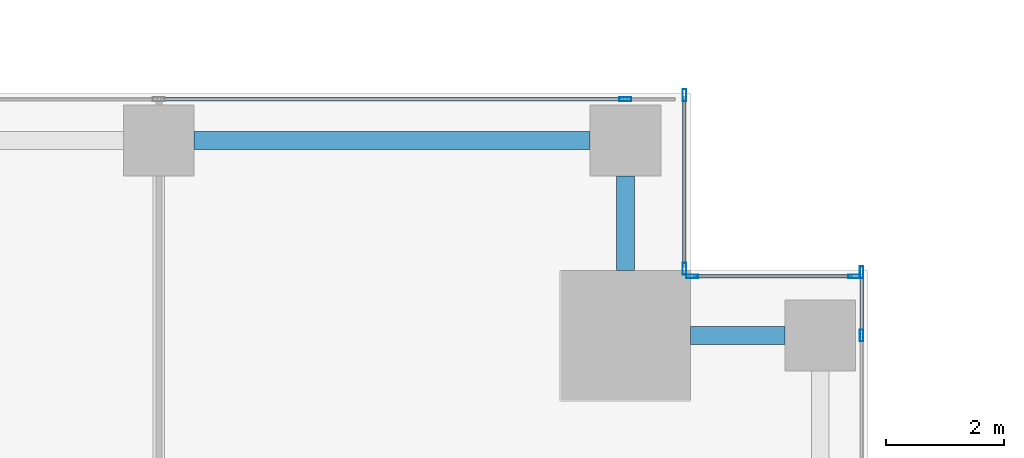
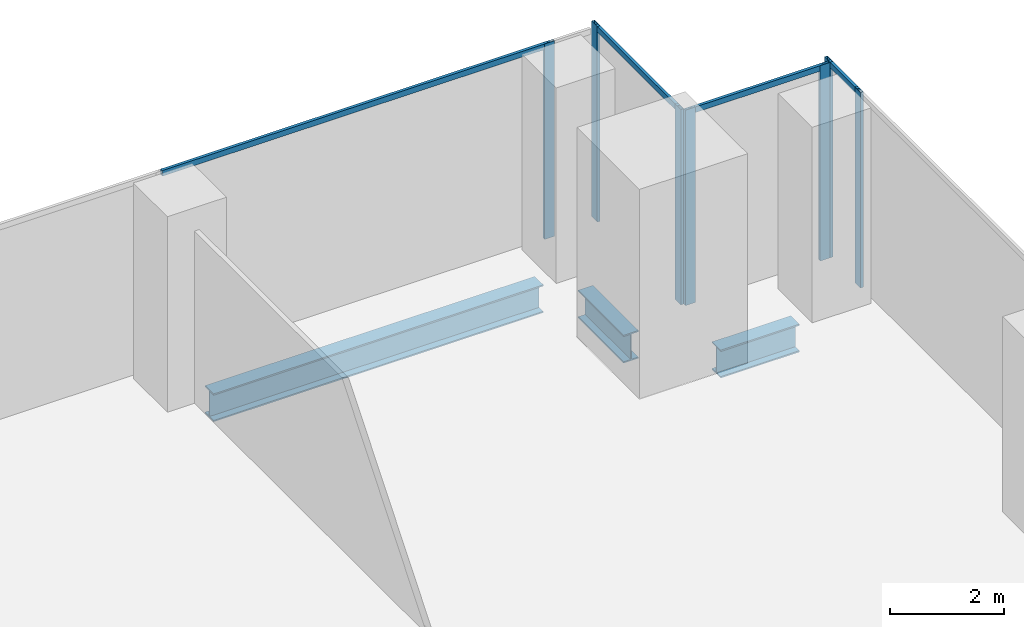
# One storey, part 20 of 33: 11 members, 3 beams, 4 elements without a shape of their own.
"""IFC4 building model written with IfcOpenShell, lengths in metres."""

from ifc_helpers import new_model, si_unit, direction, frame, origin, origin_2d, place, context, subcontext, project, spatial, hollow_rectangle, i_section, extrude, source, transform, mapped, material, material_profile, profile_set, type_object, element, aggregate, save


model = new_model("IFC4")

# Units and contexts
model_context = context("Model", 3, precision=1e-05, world=origin(), true_north=direction((0.0, 1.0)))
body_context = subcontext(model_context, "Body", "Model", "MODEL_VIEW")
ifc_project = project(units=[si_unit("LENGTHUNIT", "METRE"), si_unit("AREAUNIT", "SQUARE_METRE"), si_unit("VOLUMEUNIT", "CUBIC_METRE"), si_unit("PLANEANGLEUNIT", "RADIAN"), si_unit("MASSUNIT", "GRAM", prefix="KILO")], contexts=[model_context])

# Site, building, storey
site_placement = place(None, origin())
site = spatial("IfcSite", under=ifc_project, at=site_placement, CompositionType="ELEMENT")
building_placement = place(site_placement, origin())
building = spatial("IfcBuilding", under=site, at=building_placement, Name="Khomas Fold Tower", CompositionType="ELEMENT")
storey_placement = place(building_placement, frame((0.0, 0.0, 78.0)))
storey = spatial("IfcBuildingStorey", under=building, at=storey_placement, Name="L16", CompositionType="ELEMENT", Elevation=78.0)

# Beams
ifc_material_1 = material(Name="Steel S355", Category="steel")
ifc_material_profile_1 = material_profile(ifc_material_1, i_section(OverallWidth=0.300048828125, OverallDepth=0.60009765625, WebThickness=0.015380859375, FlangeThickness=0.030029296875, at=origin_2d()), Name="HE 600 B")
ifc_profile_set_1 = profile_set([ifc_material_profile_1], Name="Steel S355")
beam_type = type_object("IfcBeamType", Name="HE 600 B spandrel SB1", PredefinedType="SPANDREL", material=ifc_profile_set_1)
shared_shape_1 = source(origin(), body_context, "Body", "SweptSolid", [
    extrude(i_section(OverallWidth=0.300048828125, OverallDepth=0.60009765625, WebThickness=0.015380859375, FlangeThickness=0.030029296875, at=origin_2d()), origin(), (0.0, 0.0, 1.0), 6.699951171875),
])
beam_placement = place(storey_placement, frame((42.60009765625, 53.199951171875, -0.60009765625), z_axis=(1.0, 0.0, 0.0), x_axis=(0.0, 1.0, 0.0)))
element("IfcBeam", 1, at=beam_placement, inside=storey, type_object=beam_type, Name="SB1", PredefinedType="SPANDREL", context=body_context, shape_type="MappedRepresentation", body=[
    mapped(shared_shape_1, transform((0.0, 0.0, 0.0))),
])
shared_shape_2 = source(origin(), body_context, "Body", "SweptSolid", [
    extrude(i_section(OverallWidth=0.300048828125, OverallDepth=0.60009765625, WebThickness=0.015380859375, FlangeThickness=0.030029296875, at=origin_2d()), origin(), (0.0, 0.0, 1.0), 1.60009765625),
])
for number, where, z_axis, x_axis, name in (
    (2, (51.0, 49.89990234375, -0.60009765625), (1.0, 0.0, 0.0), (0.0, 1.0, 0.0), "SB1"),
    (3, (49.89990234375, 51.0, -0.60009765625), (0.0, 1.0, 0.0), (-1.0, 0.0, 0.0), "SB1"),
):
    element("IfcBeam", number, at=place(storey_placement, frame(where, z_axis=z_axis, x_axis=x_axis)), inside=storey, type_object=beam_type, Name=name, PredefinedType="SPANDREL", context=body_context, shape_type="MappedRepresentation", body=[
        mapped(shared_shape_2, transform((0.0, 0.0, 0.0))),
    ])

# Curtain wall, member
ifc_material_2 = material(Name="Aluminium framed double glazing", Category="aluminium")
curtain_wall_type = type_object("IfcCurtainWallType", Name="SK-Unitised clear-glass wall, growing floors CW1", PredefinedType="NOTDEFINED", material=ifc_material_2)
curtain_wall_1_placement = place(storey_placement, origin())
curtain_wall_1 = element("IfcCurtainWall", 4, at=curtain_wall_1_placement, inside=storey, type_object=curtain_wall_type, Name="CW1 run L16 06-0", PredefinedType="NOTDEFINED")
ifc_material_3 = material(Name="Aluminium", Category="aluminium")
ifc_material_profile_2 = material_profile(ifc_material_3, hollow_rectangle(XDim=0.06005859375, YDim=0.1201171875, WallThickness=0.00390625, at=origin_2d()), Name="SK-Unitised clear-glass wall, growing floors transom CW1-T")
ifc_profile_set_2 = profile_set([ifc_material_profile_2], Name="Aluminium")
member_type_1 = type_object("IfcMemberType", Name="SK-Unitised clear-glass wall, growing floors transom CW1-T", PredefinedType="USERDEFINED", material=ifc_profile_set_2)
shared_shape_3 = source(origin(), body_context, "Body", "SweptSolid", [
    extrude(hollow_rectangle(XDim=0.06005859375, YDim=0.1201171875, WallThickness=0.00390625, at=origin_2d()), origin(), (0.0, 0.0, 1.0), 7.840087890625),
])
member_1_placement = place(storey_placement, frame((49.8701171875, 53.89990234375, 4.139892578125), z_axis=(-1.0, 0.0, 0.0), x_axis=(0.0, -1.0, 0.0)))
member_1 = element("IfcMember", 5, at=member_1_placement, type_object=member_type_1, Name="CW1 transom 2", ObjectType="TRANSOM", PredefinedType="USERDEFINED", context=body_context, shape_type="MappedRepresentation", body=[
    mapped(shared_shape_3, transform((0.0, 0.0, 0.0))),
])

curtain_wall_2_placement = place(storey_placement, origin())
curtain_wall_2 = element("IfcCurtainWall", 6, at=curtain_wall_2_placement, inside=storey, type_object=curtain_wall_type, Name="CW1 run L16 03-1", PredefinedType="NOTDEFINED")
shared_shape_4 = source(origin(), body_context, "Body", "SweptSolid", [
    extrude(hollow_rectangle(XDim=0.06005859375, YDim=0.1201171875, WallThickness=0.00390625, at=origin_2d()), origin(), (0.0, 0.0, 1.0), 1.010009765625),
])
member_2_placement = place(storey_placement, frame((53.89990234375, 49.929931640625, 4.139892578125), z_axis=(0.0, 1.0, 0.0), x_axis=(-1.0, 0.0, 0.0)))
member_2 = element("IfcMember", 7, at=member_2_placement, type_object=member_type_1, Name="CW1 transom 5", ObjectType="TRANSOM", PredefinedType="USERDEFINED", context=body_context, shape_type="MappedRepresentation", body=[
    mapped(shared_shape_4, transform((0.0, 0.0, 0.0))),
])

curtain_wall_3_placement = place(storey_placement, origin())
curtain_wall_3 = element("IfcCurtainWall", 8, at=curtain_wall_3_placement, inside=storey, type_object=curtain_wall_type, Name="CW1 corner return L16 04", PredefinedType="NOTDEFINED")
shared_shape_5 = source(origin(), body_context, "Body", "SweptSolid", [
    extrude(hollow_rectangle(XDim=0.06005859375, YDim=0.1201171875, WallThickness=0.00390625, at=origin_2d()), origin(), (0.0, 0.0, 1.0), 2.679931640625),
])
member_3_placement = place(storey_placement, frame((53.739990234375, 50.89990234375, 4.139892578125), z_axis=(-1.0, 0.0, 0.0), x_axis=(0.0, -1.0, 0.0)))
member_3 = element("IfcMember", 9, at=member_3_placement, type_object=member_type_1, Name="CW1 transom 1", ObjectType="TRANSOM", PredefinedType="USERDEFINED", context=body_context, shape_type="MappedRepresentation", body=[
    mapped(shared_shape_5, transform((0.0, 0.0, 0.0))),
])

curtain_wall_4_placement = place(storey_placement, origin())
curtain_wall_4 = element("IfcCurtainWall", 10, at=curtain_wall_4_placement, inside=storey, type_object=curtain_wall_type, Name="CW1 corner return L16 05", PredefinedType="NOTDEFINED")
shared_shape_6 = source(origin(), body_context, "Body", "SweptSolid", [
    extrude(hollow_rectangle(XDim=0.06005859375, YDim=0.1201171875, WallThickness=0.00390625, at=origin_2d()), origin(), (0.0, 0.0, 1.0), 2.8798828125),
])
member_4_placement = place(storey_placement, frame((50.89990234375, 51.06005859375, 4.139892578125), z_axis=(0.0, 1.0, 0.0), x_axis=(-1.0, 0.0, 0.0)))
member_4 = element("IfcMember", 11, at=member_4_placement, type_object=member_type_1, Name="CW1 transom 1", ObjectType="TRANSOM", PredefinedType="USERDEFINED", context=body_context, shape_type="MappedRepresentation", body=[
    mapped(shared_shape_6, transform((0.0, 0.0, 0.0))),
])

# Member
ifc_material_4 = material(Name="Aluminium", Category="aluminium")
ifc_material_profile_3 = material_profile(ifc_material_4, hollow_rectangle(XDim=0.06005859375, YDim=0.199951171875, WallThickness=0.00390625, at=origin_2d()), Name="SK-Unitised clear-glass wall, growing floors mullion CW1-M")
ifc_profile_set_3 = profile_set([ifc_material_profile_3], Name="Aluminium")
member_type_2 = type_object("IfcMemberType", Name="SK-Unitised clear-glass wall, growing floors mullion CW1-M", PredefinedType="MULLION", material=ifc_profile_set_3)
shared_shape_7 = source(origin(), body_context, "Body", "SweptSolid", [
    extrude(hollow_rectangle(XDim=0.06005859375, YDim=0.199951171875, WallThickness=0.00390625, at=origin_2d()), origin(), (0.0, 0.0, 1.0), 4.199951171875),
])
member_5_placement = place(storey_placement, frame((53.89990234375, 49.89990234375, 0.0), z_axis=(0.0, 0.0, 1.0), x_axis=(-1.0, 0.0, 0.0)))
member_5 = element("IfcMember", 12, at=member_5_placement, type_object=member_type_2, Name="CW1 mullion 5", PredefinedType="MULLION", context=body_context, shape_type="MappedRepresentation", body=[
    mapped(shared_shape_7, transform((0.0, 0.0, 0.0))),
])

member_6_placement = place(storey_placement, frame((53.89990234375, 50.969970703125, 0.0), z_axis=(0.0, 0.0, 1.0), x_axis=(-1.0, 0.0, 0.0)))
member_6 = element("IfcMember", 13, at=member_6_placement, type_object=member_type_2, Name="CW1 mullion 6", PredefinedType="MULLION", context=body_context, shape_type="MappedRepresentation", body=[
    mapped(shared_shape_7, transform((0.0, 0.0, 0.0))),
])

aggregate(curtain_wall_2, [member_5, member_6, member_2])

member_7_placement = place(storey_placement, frame((53.77001953125, 50.89990234375, 0.0), z_axis=(0.0, 0.0, 1.0), x_axis=(0.0, -1.0, 0.0)))
member_7 = element("IfcMember", 14, at=member_7_placement, type_object=member_type_2, Name="CW1 mullion 1", PredefinedType="MULLION", context=body_context, shape_type="MappedRepresentation", body=[
    mapped(shared_shape_7, transform((0.0, 0.0, 0.0))),
])

member_8_placement = place(storey_placement, frame((51.030029296875, 50.89990234375, 0.0), z_axis=(0.0, 0.0, 1.0), x_axis=(0.0, -1.0, 0.0)))
member_8 = element("IfcMember", 15, at=member_8_placement, type_object=member_type_2, Name="CW1 mullion 2", PredefinedType="MULLION", context=body_context, shape_type="MappedRepresentation", body=[
    mapped(shared_shape_7, transform((0.0, 0.0, 0.0))),
])

aggregate(curtain_wall_3, [member_7, member_8, member_3])

member_9_placement = place(storey_placement, frame((50.89990234375, 51.030029296875, 0.0), z_axis=(0.0, 0.0, 1.0), x_axis=(-1.0, 0.0, 0.0)))
member_9 = element("IfcMember", 16, at=member_9_placement, type_object=member_type_2, Name="CW1 mullion 1", PredefinedType="MULLION", context=body_context, shape_type="MappedRepresentation", body=[
    mapped(shared_shape_7, transform((0.0, 0.0, 0.0))),
])

member_10_placement = place(storey_placement, frame((50.89990234375, 53.969970703125, 0.0), z_axis=(0.0, 0.0, 1.0), x_axis=(-1.0, 0.0, 0.0)))
member_10 = element("IfcMember", 17, at=member_10_placement, type_object=member_type_2, Name="CW1 mullion 2", PredefinedType="MULLION", context=body_context, shape_type="MappedRepresentation", body=[
    mapped(shared_shape_7, transform((0.0, 0.0, 0.0))),
])

aggregate(curtain_wall_4, [member_9, member_10, member_4])

member_11_placement = place(storey_placement, frame((49.89990234375, 53.89990234375, 0.0), z_axis=(0.0, 0.0, 1.0), x_axis=(0.0, -1.0, 0.0)))
member_11 = element("IfcMember", 18, at=member_11_placement, type_object=member_type_2, Name="CW1 mullion 2", PredefinedType="MULLION", context=body_context, shape_type="MappedRepresentation", body=[
    mapped(shared_shape_7, transform((0.0, 0.0, 0.0))),
])

aggregate(curtain_wall_1, [member_11, member_1])

save(model, "model.ifc")
